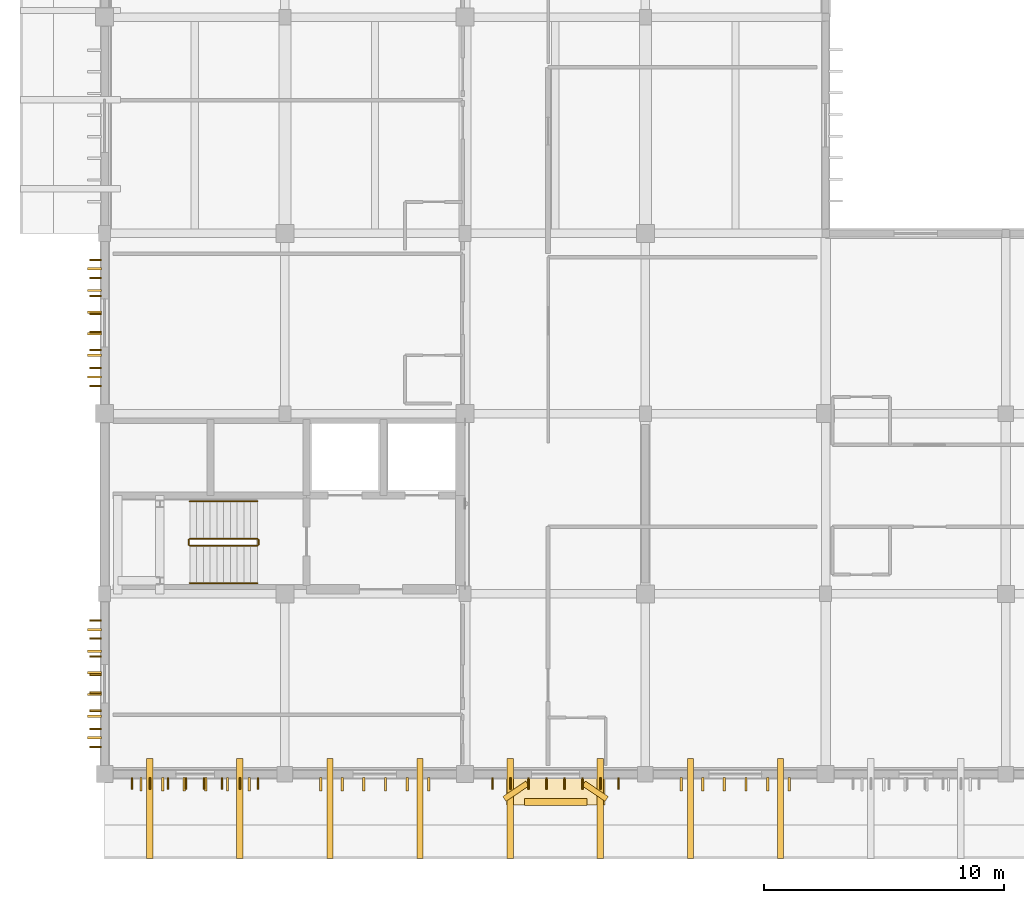
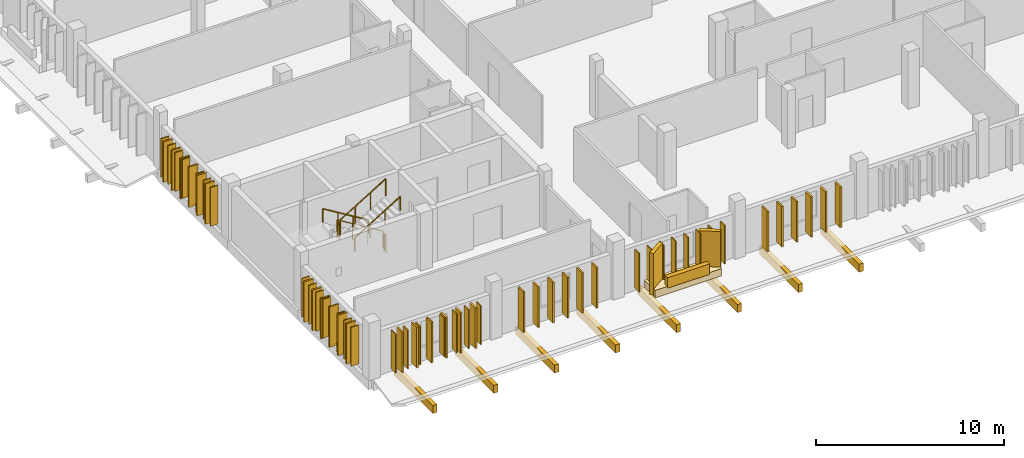
# One storey, part 27 of 43: 42 coverings, 32 shading devices, 6 railings.
"""IFC4 building model written with IfcOpenShell, lengths in metres."""

from ifc_helpers import new_model, si_unit, direction, frame, origin, origin_2d, place, context, subcontext, project, spatial, rectangle, circle, extrude, material, layer, layer_set, type_object, element, save


model = new_model("IFC4")

# Units and contexts
model_context = context("Model", 3, precision=1e-05, world=origin(), true_north=direction((0.0, 1.0)))
body_context = subcontext(model_context, "Body", "Model", "MODEL_VIEW")
ifc_project = project(units=[si_unit("LENGTHUNIT", "METRE"), si_unit("AREAUNIT", "SQUARE_METRE"), si_unit("VOLUMEUNIT", "CUBIC_METRE"), si_unit("PLANEANGLEUNIT", "RADIAN"), si_unit("MASSUNIT", "GRAM", prefix="KILO")], contexts=[model_context])

# Site, building, storey
site_placement = place(None, origin())
site = spatial("IfcSite", under=ifc_project, at=site_placement, CompositionType="ELEMENT")
building_placement = place(site_placement, origin())
building = spatial("IfcBuilding", under=site, at=building_placement, Name="Dalvernix Boulevard General Hospital", CompositionType="ELEMENT")
storey_placement = place(building_placement, frame((0.0, 0.0, 14.10009765625)))
storey = spatial("IfcBuildingStorey", under=building, at=storey_placement, Name="L03", CompositionType="ELEMENT", Elevation=14.10009765625)

# Coverings
ifc_material_1 = material(Name="Polychrome glazed Catalan trencadis ceramic faceted bay spandrel")
ifc_layer_1 = layer(ifc_material_1, 0.280029296875)
ifc_layer_set_1 = layer_set([ifc_layer_1], Name="Polychrome glazed Catalan trencadis ceramic faceted bay spandrel (COV-BAY-01)")
covering_type_1 = type_object("IfcCoveringType", Name="COV-BAY-01", PredefinedType="CLADDING", material=ifc_layer_set_1)
covering_1_placement = place(storey_placement, frame((18.762451171875, -1.159912109375, 0.3798828125), z_axis=(0.0, 0.0, 1.0), x_axis=(-1.0, 0.0, 0.0)))
element("IfcCovering", 1, at=covering_1_placement, inside=storey, type_object=covering_type_1, Name="L03 projecting faceted trencadis bay spandrel S 2-0", PredefinedType="CLADDING", context=body_context, shape_type="SweptSolid", body=[
    extrude(rectangle(XDim=2.60009765625, YDim=0.280029296875, at=origin_2d()), origin(), (0.0, 0.0, 1.0), 0.679931640625),
])
for number, where, z_axis, x_axis, name in (
    (2, (20.41259765625, -0.7099609375, 0.079833984375), (0.0, 0.0, 1.0), (-0.829037572555, 0.559192903471, 0.0), "L03 projecting faceted Catalan bay cheek S 2-0-L"),
    (3, (17.112548828125, -0.7099609375, 0.079833984375), (0.0, 0.0, 1.0), (-0.829037572555, -0.559192903471, 0.0), "L03 projecting faceted Catalan bay cheek S 2-0-R"),
):
    element("IfcCovering", number, at=place(storey_placement, frame(where, z_axis=z_axis, x_axis=x_axis)), inside=storey, type_object=covering_type_1, Name=name, PredefinedType="CLADDING", context=body_context, shape_type="SweptSolid", body=[
        extrude(rectangle(XDim=1.14990234375, YDim=0.239990234375, at=origin_2d()), origin(), (0.0, 0.0, 1.0), 2.7099609375),
    ])
ifc_material_2 = material(Name="Dressed ochre limestone classical plinth, stringcourse and corbelled cornice", Category="masonry")
ifc_layer_2 = layer(ifc_material_2, 0.449951171875)
ifc_layer_set_2 = layer_set([ifc_layer_2], Name="Dressed ochre limestone classical plinth, stringcourse and corbelled cornice (COV-CRN-01)")
covering_type_2 = type_object("IfcCoveringType", Name="COV-CRN-01", PredefinedType="CLADDING", material=ifc_layer_set_2)
covering_2_placement = place(storey_placement, frame((18.762451171875, -0.705078125, 0.0), z_axis=(0.0, 0.0, 1.0), x_axis=(-1.0, 0.0, 0.0)))
element("IfcCovering", 4, at=covering_2_placement, inside=storey, type_object=covering_type_2, Name="L03 projecting Catalan bay corbel base S 2-0", PredefinedType="CLADDING", context=body_context, shape_type="SweptSolid", body=[
    extrude(rectangle(XDim=4.10009765625, YDim=1.14990234375, at=origin_2d()), origin(), (0.0, 0.0, 1.0), 0.47998046875),
])
ifc_material_3 = material(Name="Terracotta-clad iroko timber brise-soleil sun-breaker fin", Category="masonry")
ifc_layer_3 = layer(ifc_material_3, 0.10009765625)
ifc_layer_set_3 = layer_set([ifc_layer_3], Name="Terracotta-clad iroko timber brise-soleil sun-breaker fin (COV-FIN-02)")
covering_type_3 = type_object("IfcCoveringType", Name="COV-FIN-02", PredefinedType="CLADDING", material=ifc_layer_set_3)
for number, where, z_axis, x_axis, name in (
    (5, (6.012451171875, -0.419921875, 0.119873046875), (0.0, 0.0, 1.0), (-1.0, 0.0, 0.0), "L03 terracotta brise-soleil fin S 0-0-1"),
    (6, (5.112548828125, -0.419921875, 0.119873046875), (0.0, 0.0, 1.0), (-1.0, 0.0, 0.0), "L03 terracotta brise-soleil fin S 0-0-2"),
    (7, (4.21240234375, -0.419921875, 0.119873046875), (0.0, 0.0, 1.0), (-1.0, 0.0, 0.0), "L03 terracotta brise-soleil fin S 0-0-3"),
    (8, (3.3125, -0.419921875, 0.119873046875), (0.0, 0.0, 1.0), (-1.0, 0.0, 0.0), "L03 terracotta brise-soleil fin S 0-0-4"),
    (9, (2.41259765625, -0.419921875, 0.119873046875), (0.0, 0.0, 1.0), (-1.0, 0.0, 0.0), "L03 terracotta brise-soleil fin S 0-0-5"),
    (10, (1.512451171875, -0.419921875, 0.119873046875), (0.0, 0.0, 1.0), (-1.0, 0.0, 0.0), "L03 terracotta brise-soleil fin S 0-0-6"),
    (11, (-0.419921875, 1.512451171875, 0.119873046875), (0.0, 0.0, 1.0), (0.0, 1.0, 0.0), "L03 terracotta brise-soleil fin W 0-0-1"),
    (12, (-0.419921875, 2.41259765625, 0.119873046875), (0.0, 0.0, 1.0), (0.0, 1.0, 0.0), "L03 terracotta brise-soleil fin W 0-0-2"),
    (13, (-0.419921875, 3.3125, 0.119873046875), (0.0, 0.0, 1.0), (0.0, 1.0, 0.0), "L03 terracotta brise-soleil fin W 0-0-3"),
    (14, (-0.419921875, 4.21240234375, 0.119873046875), (0.0, 0.0, 1.0), (0.0, 1.0, 0.0), "L03 terracotta brise-soleil fin W 0-0-4"),
    (15, (-0.419921875, 5.112548828125, 0.119873046875), (0.0, 0.0, 1.0), (0.0, 1.0, 0.0), "L03 terracotta brise-soleil fin W 0-0-5"),
    (16, (-0.419921875, 6.012451171875, 0.119873046875), (0.0, 0.0, 1.0), (0.0, 1.0, 0.0), "L03 terracotta brise-soleil fin W 0-0-6"),
    (17, (-0.419921875, 16.52490234375, 0.119873046875), (0.0, 0.0, 1.0), (0.0, 1.0, 0.0), "L03 terracotta brise-soleil fin W 0-2-1"),
    (18, (-0.419921875, 17.425048828125, 0.119873046875), (0.0, 0.0, 1.0), (0.0, 1.0, 0.0), "L03 terracotta brise-soleil fin W 0-2-2"),
    (19, (-0.419921875, 18.324951171875, 0.119873046875), (0.0, 0.0, 1.0), (0.0, 1.0, 0.0), "L03 terracotta brise-soleil fin W 0-2-3"),
    (20, (-0.419921875, 19.22509765625, 0.119873046875), (0.0, 0.0, 1.0), (0.0, 1.0, 0.0), "L03 terracotta brise-soleil fin W 0-2-4"),
    (21, (-0.419921875, 20.125, 0.119873046875), (0.0, 0.0, 1.0), (0.0, 1.0, 0.0), "L03 terracotta brise-soleil fin W 0-2-5"),
    (22, (-0.419921875, 21.02490234375, 0.119873046875), (0.0, 0.0, 1.0), (0.0, 1.0, 0.0), "L03 terracotta brise-soleil fin W 0-2-6"),
    (23, (13.487548828125, -0.419921875, 0.119873046875), (0.0, 0.0, 1.0), (-1.0, 0.0, 0.0), "L03 terracotta brise-soleil fin S 1-0-1"),
    (24, (12.58740234375, -0.419921875, 0.119873046875), (0.0, 0.0, 1.0), (-1.0, 0.0, 0.0), "L03 terracotta brise-soleil fin S 1-0-2"),
    (25, (11.6875, -0.419921875, 0.119873046875), (0.0, 0.0, 1.0), (-1.0, 0.0, 0.0), "L03 terracotta brise-soleil fin S 1-0-3"),
    (26, (10.78759765625, -0.419921875, 0.119873046875), (0.0, 0.0, 1.0), (-1.0, 0.0, 0.0), "L03 terracotta brise-soleil fin S 1-0-4"),
    (27, (9.887451171875, -0.419921875, 0.119873046875), (0.0, 0.0, 1.0), (-1.0, 0.0, 0.0), "L03 terracotta brise-soleil fin S 1-0-5"),
    (28, (8.987548828125, -0.419921875, 0.119873046875), (0.0, 0.0, 1.0), (-1.0, 0.0, 0.0), "L03 terracotta brise-soleil fin S 1-0-6"),
    (29, (28.487548828125, -0.419921875, 0.119873046875), (0.0, 0.0, 1.0), (-1.0, 0.0, 0.0), "L03 terracotta brise-soleil fin S 3-0-1"),
    (30, (27.58740234375, -0.419921875, 0.119873046875), (0.0, 0.0, 1.0), (-1.0, 0.0, 0.0), "L03 terracotta brise-soleil fin S 3-0-2"),
    (31, (26.6875, -0.419921875, 0.119873046875), (0.0, 0.0, 1.0), (-1.0, 0.0, 0.0), "L03 terracotta brise-soleil fin S 3-0-3"),
    (32, (25.78759765625, -0.419921875, 0.119873046875), (0.0, 0.0, 1.0), (-1.0, 0.0, 0.0), "L03 terracotta brise-soleil fin S 3-0-4"),
    (33, (24.887451171875, -0.419921875, 0.119873046875), (0.0, 0.0, 1.0), (-1.0, 0.0, 0.0), "L03 terracotta brise-soleil fin S 3-0-5"),
    (34, (23.987548828125, -0.419921875, 0.119873046875), (0.0, 0.0, 1.0), (-1.0, 0.0, 0.0), "L03 terracotta brise-soleil fin S 3-0-6"),
):
    element("IfcCovering", number, at=place(storey_placement, frame(where, z_axis=z_axis, x_axis=x_axis)), inside=storey, type_object=covering_type_3, Name=name, PredefinedType="CLADDING", context=body_context, shape_type="SweptSolid", body=[
        extrude(rectangle(XDim=0.10009765625, YDim=0.580078125, at=origin_2d()), origin(), (0.0, 0.0, 1.0), 2.6298828125),
    ])
ifc_material_4 = material(Name="Preservative-treated glulam GL28h eave outlooker corbel bracket", Category="wood")
ifc_layer_4 = layer(ifc_material_4, 0.239990234375)
ifc_layer_set_4 = layer_set([ifc_layer_4], Name="Preservative-treated glulam GL28h eave outlooker corbel bracket (COV-OUTLOOK-01)")
covering_type_4 = type_object("IfcCoveringType", Name="COV-OUTLOOK-01", PredefinedType="CLADDING", material=ifc_layer_set_4)
for number, where, z_axis, x_axis, name in (
    (35, (1.875, -1.425048828125, -0.940185546875), (0.0, 0.0, 1.0), (1.0, 0.0, 0.0), "TIER-V4-BASE glulam eave outlooker corbel S-1"),
    (36, (5.625, -1.425048828125, -0.940185546875), (0.0, 0.0, 1.0), (1.0, 0.0, 0.0), "TIER-V4-BASE glulam eave outlooker corbel S-2"),
    (37, (9.375, -1.425048828125, -0.940185546875), (0.0, 0.0, 1.0), (1.0, 0.0, 0.0), "TIER-V4-BASE glulam eave outlooker corbel S-3"),
    (38, (13.125, -1.425048828125, -0.940185546875), (0.0, 0.0, 1.0), (1.0, 0.0, 0.0), "TIER-V4-BASE glulam eave outlooker corbel S-4"),
    (39, (16.875, -1.425048828125, -0.940185546875), (0.0, 0.0, 1.0), (1.0, 0.0, 0.0), "TIER-V4-BASE glulam eave outlooker corbel S-5"),
    (40, (20.625, -1.425048828125, -0.940185546875), (0.0, 0.0, 1.0), (1.0, 0.0, 0.0), "TIER-V4-BASE glulam eave outlooker corbel S-6"),
    (41, (24.375, -1.425048828125, -0.940185546875), (0.0, 0.0, 1.0), (1.0, 0.0, 0.0), "TIER-V4-BASE glulam eave outlooker corbel S-7"),
    (42, (28.125, -1.425048828125, -0.940185546875), (0.0, 0.0, 1.0), (1.0, 0.0, 0.0), "TIER-V4-BASE glulam eave outlooker corbel S-8"),
):
    element("IfcCovering", number, at=place(storey_placement, frame(where, z_axis=z_axis, x_axis=x_axis)), inside=storey, type_object=covering_type_4, Name=name, PredefinedType="CLADDING", context=body_context, shape_type="SweptSolid", body=[
        extrude(rectangle(XDim=0.260009765625, YDim=4.14990234375, at=origin_2d()), origin(), (0.0, 0.0, 1.0), 0.52001953125),
    ])

# Railings
ifc_material_5 = material(Name="Brushed stainless steel balustrade", Category="steel")
railing_type_1 = type_object("IfcRailingType", Name="RL-GR-INT1", PredefinedType="BALUSTRADE", material=ifc_material_5)
railing_1_placement = place(storey_placement, frame((6.35009765625, 9.800048828125, 0.17041015625)))
element("IfcRailing", 43, at=railing_1_placement, inside=storey, type_object=railing_type_1, Name="L03 ST-01 stair guard 1", PredefinedType="BALUSTRADE", context=body_context, shape_type="SweptSolid", body=[
    extrude(circle(Radius=0.02392578125, at=origin_2d()), frame((0.0, 0.0, 1.09619140625), z_axis=(-0.854169791009, 0.0, 0.51999420009), x_axis=(0.0, -1.0, 0.0)), (0.0, 0.0, 1.0), 3.278076171875),
    extrude(circle(Radius=0.02099609375, at=origin_2d()), origin(), (0.0, 0.0, 1.0), 1.072021484375),
    extrude(circle(Radius=0.02099609375, at=origin_2d()), frame((-0.933349609375, 0.0, 0.568115234375)), (0.0, 0.0, 1.0), 1.072021484375),
    extrude(circle(Radius=0.02099609375, at=origin_2d()), frame((-1.86669921875, 0.0, 1.136474609375)), (0.0, 0.0, 1.0), 1.072021484375),
    extrude(circle(Radius=0.02099609375, at=origin_2d()), frame((-2.800048828125, 0.0, 1.70458984375)), (0.0, 0.0, 1.0), 1.072021484375),
])
railing_2_placement = place(storey_placement, frame((3.5, 9.75, 1.875)))
element("IfcRailing", 44, at=railing_2_placement, inside=storey, type_object=railing_type_1, Name="L03 ST-01 stair guard 2", PredefinedType="BALUSTRADE", context=body_context, shape_type="SweptSolid", body=[
    extrude(circle(Radius=0.02392578125, at=origin_2d()), frame((0.0, 0.0, 1.09619140625), z_axis=(0.0, -1.0, 0.0), x_axis=(1.0, 0.0, 0.0)), (0.0, 0.0, 1.0), 0.199951171875),
    extrude(circle(Radius=0.02099609375, at=origin_2d()), origin(), (0.0, 0.0, 1.0), 1.072021484375),
    extrude(circle(Radius=0.02099609375, at=origin_2d()), frame((0.0, -0.199951171875, 0.0)), (0.0, 0.0, 1.0), 1.072021484375),
])
railing_3_placement = place(storey_placement, frame((3.550048828125, 9.5, 2.04541015625)))
element("IfcRailing", 45, at=railing_3_placement, inside=storey, type_object=railing_type_1, Name="L03 ST-01 stair guard 3", PredefinedType="BALUSTRADE", context=body_context, shape_type="SweptSolid", body=[
    extrude(circle(Radius=0.02392578125, at=origin_2d()), frame((0.0, 0.0, 1.09619140625), z_axis=(0.854169791009, 0.0, 0.51999420009), x_axis=(0.0, 1.0, 0.0)), (0.0, 0.0, 1.0), 3.278076171875),
    extrude(circle(Radius=0.02099609375, at=origin_2d()), origin(), (0.0, 0.0, 1.0), 1.072021484375),
    extrude(circle(Radius=0.02099609375, at=origin_2d()), frame((0.933349609375, 0.0, 0.568115234375)), (0.0, 0.0, 1.0), 1.072021484375),
    extrude(circle(Radius=0.02099609375, at=origin_2d()), frame((1.86669921875, 0.0, 1.136474609375)), (0.0, 0.0, 1.0), 1.072021484375),
    extrude(circle(Radius=0.02099609375, at=origin_2d()), frame((2.800048828125, 0.0, 1.70458984375)), (0.0, 0.0, 1.0), 1.072021484375),
])
railing_4_placement = place(storey_placement, frame((6.39990234375, 9.75, 0.0)))
element("IfcRailing", 46, at=railing_4_placement, inside=storey, type_object=railing_type_1, Name="L03 ST-01 stair guard 4", PredefinedType="BALUSTRADE", context=body_context, shape_type="SweptSolid", body=[
    extrude(circle(Radius=0.02392578125, at=origin_2d()), frame((0.0, 0.0, 1.09619140625), z_axis=(0.0, -1.0, 0.0), x_axis=(1.0, 0.0, 0.0)), (0.0, 0.0, 1.0), 0.199951171875),
    extrude(circle(Radius=0.02099609375, at=origin_2d()), origin(), (0.0, 0.0, 1.0), 1.072021484375),
    extrude(circle(Radius=0.02099609375, at=origin_2d()), frame((0.0, -0.199951171875, 0.0)), (0.0, 0.0, 1.0), 1.072021484375),
])
ifc_material_6 = material(Name="Brushed stainless steel wall handrail", Category="steel")
railing_type_2 = type_object("IfcRailingType", Name="RL-HR-INT1", PredefinedType="HANDRAIL", material=ifc_material_6)
railing_5_placement = place(storey_placement, frame((6.35009765625, 11.35009765625, 0.17041015625)))
element("IfcRailing", 47, at=railing_5_placement, inside=storey, type_object=railing_type_2, Name="L03 ST-01 stair handrail 1", PredefinedType="HANDRAIL", context=body_context, shape_type="SweptSolid", body=[
    extrude(circle(Radius=0.02392578125, at=origin_2d()), frame((0.0, 0.0, 0.8759765625), z_axis=(-0.854169791009, 0.0, 0.51999420009), x_axis=(0.0, -1.0, 0.0)), (0.0, 0.0, 1.0), 3.278076171875),
    extrude(circle(Radius=0.02099609375, at=origin_2d()), origin(), (0.0, 0.0, 1.0), 0.851806640625),
    extrude(circle(Radius=0.02099609375, at=origin_2d()), frame((-0.933349609375, 0.0, 0.568115234375)), (0.0, 0.0, 1.0), 0.851806640625),
    extrude(circle(Radius=0.02099609375, at=origin_2d()), frame((-1.86669921875, 0.0, 1.136474609375)), (0.0, 0.0, 1.0), 0.851806640625),
    extrude(circle(Radius=0.02099609375, at=origin_2d()), frame((-2.800048828125, 0.0, 1.70458984375)), (0.0, 0.0, 1.0), 0.851806640625),
])
railing_6_placement = place(storey_placement, frame((3.550048828125, 7.949951171875, 2.04541015625)))
element("IfcRailing", 48, at=railing_6_placement, inside=storey, type_object=railing_type_2, Name="L03 ST-01 stair handrail 2", PredefinedType="HANDRAIL", context=body_context, shape_type="SweptSolid", body=[
    extrude(circle(Radius=0.02392578125, at=origin_2d()), frame((0.0, 0.0, 0.8759765625), z_axis=(0.854169791009, 0.0, 0.51999420009), x_axis=(0.0, 1.0, 0.0)), (0.0, 0.0, 1.0), 3.278076171875),
    extrude(circle(Radius=0.02099609375, at=origin_2d()), origin(), (0.0, 0.0, 1.0), 0.851806640625),
    extrude(circle(Radius=0.02099609375, at=origin_2d()), frame((0.933349609375, 0.0, 0.568115234375)), (0.0, 0.0, 1.0), 0.851806640625),
    extrude(circle(Radius=0.02099609375, at=origin_2d()), frame((1.86669921875, 0.0, 1.136474609375)), (0.0, 0.0, 1.0), 0.851806640625),
    extrude(circle(Radius=0.02099609375, at=origin_2d()), frame((2.800048828125, 0.0, 1.70458984375)), (0.0, 0.0, 1.0), 0.851806640625),
])

# Shading devices
ifc_material_7 = material(Name="Preservative-treated West African iroko timber", Category="wood")
shading_device_type = type_object("IfcShadingDeviceType", Name="SHD-FIN-01", PredefinedType="USERDEFINED", material=ifc_material_7)
for number, where, z_axis, x_axis, name in (
    (49, (6.387451171875, -0.3798828125, 0.1748046875), (0.0, 0.0, 1.0), (-1.0, 0.0, 0.0), "L03 iroko brise-soleil fin 1"),
    (50, (5.637451171875, -0.3798828125, 0.1748046875), (0.0, 0.0, 1.0), (-1.0, 0.0, 0.0), "L03 iroko brise-soleil fin 2"),
    (51, (4.887451171875, -0.3798828125, 0.1748046875), (0.0, 0.0, 1.0), (-1.0, 0.0, 0.0), "L03 iroko brise-soleil fin 3"),
    (52, (4.137451171875, -0.3798828125, 0.1748046875), (0.0, 0.0, 1.0), (-1.0, 0.0, 0.0), "L03 iroko brise-soleil fin 4"),
    (53, (3.387451171875, -0.3798828125, 0.1748046875), (0.0, 0.0, 1.0), (-1.0, 0.0, 0.0), "L03 iroko brise-soleil fin 5"),
    (54, (2.637451171875, -0.3798828125, 0.1748046875), (0.0, 0.0, 1.0), (-1.0, 0.0, 0.0), "L03 iroko brise-soleil fin 6"),
    (55, (1.887451171875, -0.3798828125, 0.1748046875), (0.0, 0.0, 1.0), (-1.0, 0.0, 0.0), "L03 iroko brise-soleil fin 7"),
    (56, (1.137451171875, -0.3798828125, 0.1748046875), (0.0, 0.0, 1.0), (-1.0, 0.0, 0.0), "L03 iroko brise-soleil fin 8"),
    (57, (-0.3798828125, 1.137451171875, 0.1748046875), (0.0, 0.0, 1.0), (0.0, 1.0, 0.0), "L03 iroko brise-soleil fin 1"),
    (58, (-0.3798828125, 1.887451171875, 0.1748046875), (0.0, 0.0, 1.0), (0.0, 1.0, 0.0), "L03 iroko brise-soleil fin 2"),
    (59, (-0.3798828125, 2.637451171875, 0.1748046875), (0.0, 0.0, 1.0), (0.0, 1.0, 0.0), "L03 iroko brise-soleil fin 3"),
    (60, (-0.3798828125, 3.387451171875, 0.1748046875), (0.0, 0.0, 1.0), (0.0, 1.0, 0.0), "L03 iroko brise-soleil fin 4"),
    (61, (-0.3798828125, 4.137451171875, 0.1748046875), (0.0, 0.0, 1.0), (0.0, 1.0, 0.0), "L03 iroko brise-soleil fin 5"),
    (62, (-0.3798828125, 4.887451171875, 0.1748046875), (0.0, 0.0, 1.0), (0.0, 1.0, 0.0), "L03 iroko brise-soleil fin 6"),
    (63, (-0.3798828125, 5.637451171875, 0.1748046875), (0.0, 0.0, 1.0), (0.0, 1.0, 0.0), "L03 iroko brise-soleil fin 7"),
    (64, (-0.3798828125, 6.387451171875, 0.1748046875), (0.0, 0.0, 1.0), (0.0, 1.0, 0.0), "L03 iroko brise-soleil fin 8"),
    (65, (-0.3798828125, 16.14990234375, 0.1748046875), (0.0, 0.0, 1.0), (0.0, 1.0, 0.0), "L03 iroko brise-soleil fin 1"),
    (66, (-0.3798828125, 16.89990234375, 0.1748046875), (0.0, 0.0, 1.0), (0.0, 1.0, 0.0), "L03 iroko brise-soleil fin 2"),
    (67, (-0.3798828125, 17.64990234375, 0.1748046875), (0.0, 0.0, 1.0), (0.0, 1.0, 0.0), "L03 iroko brise-soleil fin 3"),
    (68, (-0.3798828125, 18.39990234375, 0.1748046875), (0.0, 0.0, 1.0), (0.0, 1.0, 0.0), "L03 iroko brise-soleil fin 4"),
    (69, (-0.3798828125, 19.14990234375, 0.1748046875), (0.0, 0.0, 1.0), (0.0, 1.0, 0.0), "L03 iroko brise-soleil fin 5"),
    (70, (-0.3798828125, 19.89990234375, 0.1748046875), (0.0, 0.0, 1.0), (0.0, 1.0, 0.0), "L03 iroko brise-soleil fin 6"),
    (71, (-0.3798828125, 20.64990234375, 0.1748046875), (0.0, 0.0, 1.0), (0.0, 1.0, 0.0), "L03 iroko brise-soleil fin 7"),
    (72, (-0.3798828125, 21.39990234375, 0.1748046875), (0.0, 0.0, 1.0), (0.0, 1.0, 0.0), "L03 iroko brise-soleil fin 8"),
    (73, (21.387451171875, -0.3798828125, 0.1748046875), (0.0, 0.0, 1.0), (-1.0, 0.0, 0.0), "L03 iroko brise-soleil fin 1"),
    (74, (20.637451171875, -0.3798828125, 0.1748046875), (0.0, 0.0, 1.0), (-1.0, 0.0, 0.0), "L03 iroko brise-soleil fin 2"),
    (75, (19.887451171875, -0.3798828125, 0.1748046875), (0.0, 0.0, 1.0), (-1.0, 0.0, 0.0), "L03 iroko brise-soleil fin 3"),
    (76, (19.137451171875, -0.3798828125, 0.1748046875), (0.0, 0.0, 1.0), (-1.0, 0.0, 0.0), "L03 iroko brise-soleil fin 4"),
    (77, (18.387451171875, -0.3798828125, 0.1748046875), (0.0, 0.0, 1.0), (-1.0, 0.0, 0.0), "L03 iroko brise-soleil fin 5"),
    (78, (17.637451171875, -0.3798828125, 0.1748046875), (0.0, 0.0, 1.0), (-1.0, 0.0, 0.0), "L03 iroko brise-soleil fin 6"),
    (79, (16.887451171875, -0.3798828125, 0.1748046875), (0.0, 0.0, 1.0), (-1.0, 0.0, 0.0), "L03 iroko brise-soleil fin 7"),
    (80, (16.137451171875, -0.3798828125, 0.1748046875), (0.0, 0.0, 1.0), (-1.0, 0.0, 0.0), "L03 iroko brise-soleil fin 8"),
):
    element("IfcShadingDevice", number, at=place(storey_placement, frame(where, z_axis=z_axis, x_axis=x_axis)), inside=storey, type_object=shading_device_type, Name=name, ObjectType="FIN", PredefinedType="USERDEFINED", context=body_context, shape_type="SweptSolid", body=[
        extrude(rectangle(XDim=0.06494140625, YDim=0.47998046875, at=origin_2d()), origin(), (0.0, 0.0, 1.0), 2.52001953125),
    ])

save(model, "model.ifc")
